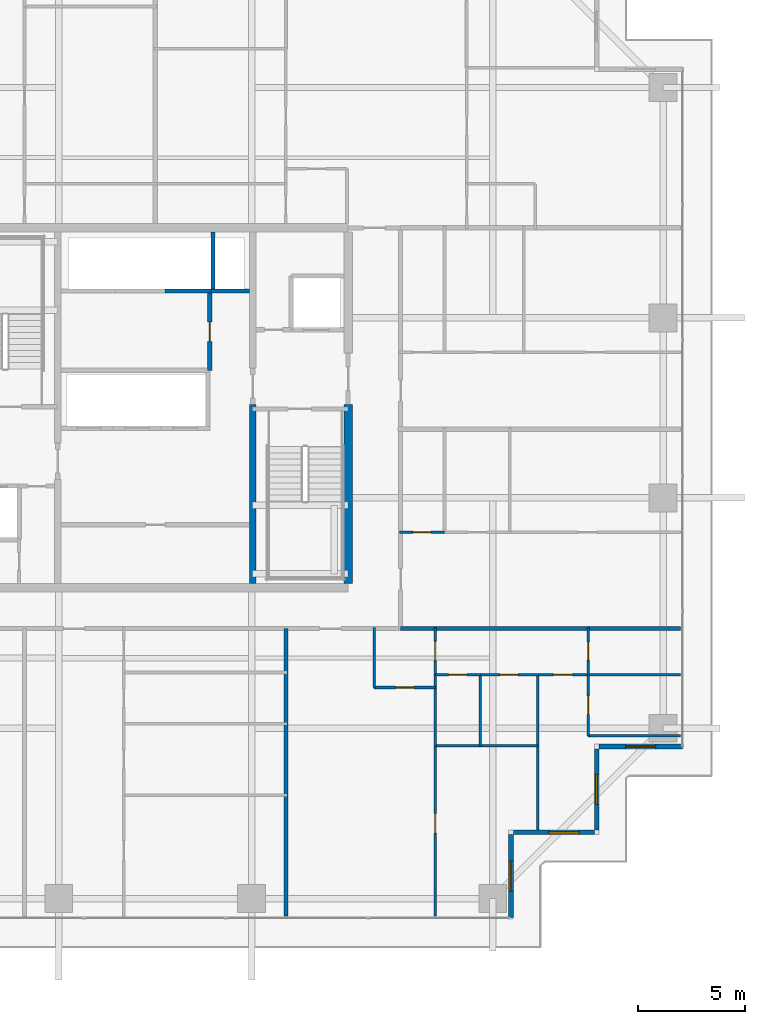
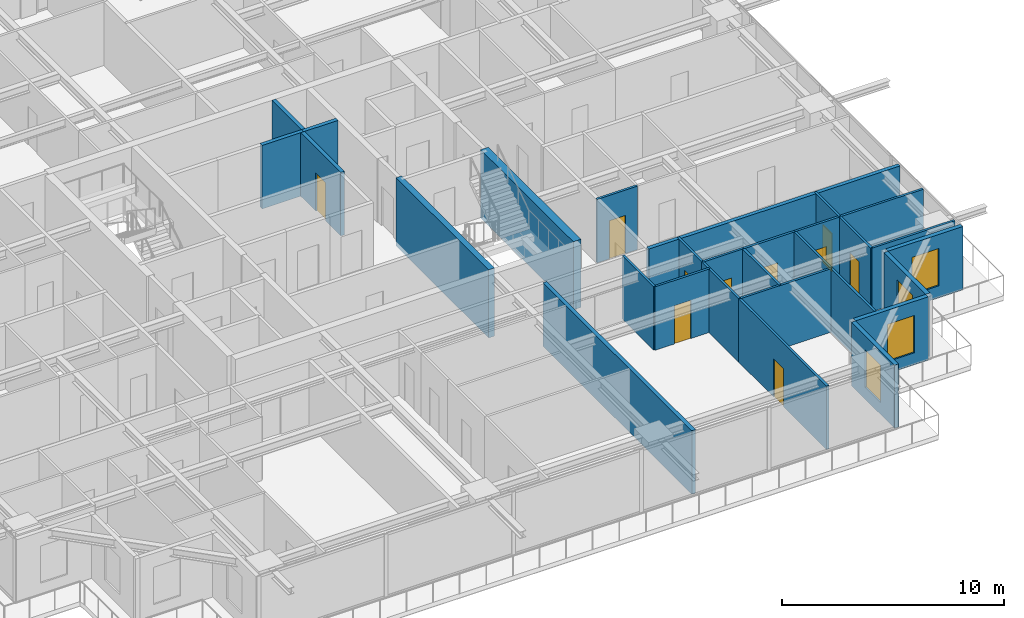
# One storey, part 28 of 37: 28 walls, 10 doors, 4 windows, 14 openings.
"""IFC4 building model written with IfcOpenShell, lengths in metres."""

from ifc_helpers import new_model, si_unit, direction, frame, frame_2d, origin, place, context, subcontext, project, spatial, rectangle, extrude, source, transform, mapped, material, layer, layer_set, type_object, element, fill, save


model = new_model("IFC4")

# Units and contexts
model_context = context("Model", 3, precision=1e-05, world=origin(), true_north=direction((0.0, 1.0)))
body_context = subcontext(model_context, "Body", "Model", "MODEL_VIEW")
ifc_project = project(units=[si_unit("LENGTHUNIT", "METRE"), si_unit("AREAUNIT", "SQUARE_METRE"), si_unit("VOLUMEUNIT", "CUBIC_METRE"), si_unit("PLANEANGLEUNIT", "RADIAN"), si_unit("MASSUNIT", "GRAM", prefix="KILO")], contexts=[model_context])

# Site, building, storey
site_placement = place(None, origin())
site = spatial("IfcSite", under=ifc_project, at=site_placement, CompositionType="ELEMENT")
building_placement = place(site_placement, origin())
building = spatial("IfcBuilding", under=site, at=building_placement, Name="Serunith Strait Residences", CompositionType="ELEMENT")
storey_placement = place(building_placement, frame((0.0, 0.0, 127.64990234375)))
storey = spatial("IfcBuildingStorey", under=building, at=storey_placement, Name="L31", CompositionType="ELEMENT", Elevation=127.64990234375)

# Wall, opening, window
ifc_material_1 = material(Name="Pale-Champagne Aluminium Insulated Panel", Category="aluminium")
ifc_layer_1 = layer(ifc_material_1, 0.219970703125, Name="Pale-Champagne Aluminium Insulated Panel")
ifc_layer_set_1 = layer_set([ifc_layer_1], Name="Pale-Champagne Aluminium Insulated Panel")
wall_type_1 = type_object("IfcWallType", Name="EW-ALUM-220", PredefinedType="ELEMENTEDWALL", material=ifc_layer_set_1)
wall_1_placement = place(storey_placement, frame((49.0, 1.39990234375, 0.0), z_axis=(0.0, 0.0, 1.0), x_axis=(0.0, 1.0, 0.0)))
wall_1 = element("IfcWall", 1, at=wall_1_placement, inside=storey, type_object=wall_type_1, Name="L31 Girih Serrated Corner Wall 02", PredefinedType="ELEMENTEDWALL", context=body_context, shape_type="SweptSolid", body=[
    extrude(rectangle(XDim=3.89013671875, YDim=0.219970703125, at=frame_2d((1.945068359375, 0.0))), origin(), (0.0, 0.0, 1.0), 3.47509765625),
])
opening_1_placement = place(wall_1_placement, frame((1.2451171875, 0.0, 0.64990234375)))
opening_1 = element("IfcOpeningElement", 2, at=opening_1_placement, cuts=wall_1, Name="Opening W-03", PredefinedType="OPENING", context=body_context, shape_type="SweptSolid", body=[
    extrude(rectangle(XDim=1.39990234375, YDim=2.050048828125, at=frame_2d((0.699951171875, 1.02490234375))), frame((0.0, 0.1201171875, 0.0), z_axis=(0.0, -1.0, 0.0), x_axis=(1.0, 0.0, 0.0)), (0.0, 0.0, 1.0), 0.239990234375),
])
ifc_material_2 = material(Name="Ceramic-Fritted Operable Aluminium Window Glass", Category="aluminium")
window_type = type_object("IfcWindowType", Name="WIN-C3", PartitioningType="SINGLE_PANEL", PredefinedType="WINDOW", material=ifc_material_2)
shared_shape_1 = source(origin(), body_context, "Body", "SweptSolid", [
    extrude(rectangle(XDim=1.39990234375, YDim=2.050048828125, at=frame_2d((0.699951171875, 1.02490234375))), frame((0.0, 0.030029296875, 0.0), z_axis=(0.0, -1.0, 0.0), x_axis=(1.0, 0.0, 0.0)), (0.0, 0.0, 1.0), 0.06005859375),
])
window_1_placement = place(opening_1_placement, origin())
window_1 = element("IfcWindow", 3, at=window_1_placement, inside=storey, type_object=window_type, Name="L31 Corner Operable Fritted Window 02", OverallHeight=2.050048828125, OverallWidth=1.39990234375, PartitioningType="SINGLE_PANEL", PredefinedType="WINDOW", context=body_context, shape_type="MappedRepresentation", body=[
    mapped(shared_shape_1, transform((0.0, 0.0, 0.0), scale=1.0)),
])
fill(opening_1, window_1)

wall_2_placement = place(storey_placement, frame((49.110107421875, 5.39990234375, 0.0), z_axis=(0.0, 0.0, 1.0), x_axis=(1.0, 0.0, 0.0)))
wall_2 = element("IfcWall", 4, at=wall_2_placement, inside=storey, type_object=wall_type_1, Name="L31 Girih Serrated Corner Wall 03", PredefinedType="ELEMENTEDWALL", context=body_context, shape_type="SweptSolid", body=[
    extrude(rectangle(XDim=3.77978515625, YDim=0.219970703125, at=frame_2d((1.889892578125, 0.0))), origin(), (0.0, 0.0, 1.0), 3.47509765625),
])
opening_2_placement = place(wall_2_placement, frame((1.666015625, 0.0, 0.64990234375)))
opening_2 = element("IfcOpeningElement", 5, at=opening_2_placement, cuts=wall_2, Name="Opening W-03", PredefinedType="OPENING", context=body_context, shape_type="SweptSolid", body=[
    extrude(rectangle(XDim=1.39990234375, YDim=2.050048828125, at=frame_2d((0.699951171875, 1.02490234375))), frame((0.0, 0.1201171875, 0.0), z_axis=(0.0, -1.0, 0.0), x_axis=(1.0, 0.0, 0.0)), (0.0, 0.0, 1.0), 0.239990234375),
])
window_2_placement = place(opening_2_placement, origin())
window_2 = element("IfcWindow", 6, at=window_2_placement, inside=storey, type_object=window_type, Name="L31 Corner Operable Fritted Window 03", OverallHeight=2.050048828125, OverallWidth=1.39990234375, PartitioningType="SINGLE_PANEL", PredefinedType="WINDOW", context=body_context, shape_type="MappedRepresentation", body=[
    mapped(shared_shape_1, transform((0.0, 0.0, 0.0), scale=1.0)),
])
fill(opening_2, window_2)

wall_3_placement = place(storey_placement, frame((53.0, 5.510009765625, 0.0), z_axis=(0.0, 0.0, 1.0), x_axis=(0.0, 1.0, 0.0)))
wall_3 = element("IfcWall", 7, at=wall_3_placement, inside=storey, type_object=wall_type_1, Name="L31 Girih Serrated Corner Wall 04", PredefinedType="ELEMENTEDWALL", context=body_context, shape_type="SweptSolid", body=[
    extrude(rectangle(XDim=3.780029296875, YDim=0.219970703125, at=frame_2d((1.89013671875, 0.0))), origin(), (0.0, 0.0, 1.0), 3.47509765625),
])
opening_3_placement = place(wall_3_placement, frame((1.18994140625, 0.0, 0.64990234375)))
opening_3 = element("IfcOpeningElement", 8, at=opening_3_placement, cuts=wall_3, Name="Opening W-03", PredefinedType="OPENING", context=body_context, shape_type="SweptSolid", body=[
    extrude(rectangle(XDim=1.39990234375, YDim=2.050048828125, at=frame_2d((0.699951171875, 1.02490234375))), frame((0.0, 0.1201171875, 0.0), z_axis=(0.0, -1.0, 0.0), x_axis=(1.0, 0.0, 0.0)), (0.0, 0.0, 1.0), 0.239990234375),
])
window_3_placement = place(opening_3_placement, origin())
window_3 = element("IfcWindow", 9, at=window_3_placement, inside=storey, type_object=window_type, Name="L31 Corner Operable Fritted Window 04", OverallHeight=2.050048828125, OverallWidth=1.39990234375, PartitioningType="SINGLE_PANEL", PredefinedType="WINDOW", context=body_context, shape_type="MappedRepresentation", body=[
    mapped(shared_shape_1, transform((0.0, 0.0, 0.0), scale=1.0)),
])
fill(opening_3, window_3)

wall_4_placement = place(storey_placement, frame((53.110107421875, 9.39990234375, 0.0), z_axis=(0.0, 0.0, 1.0), x_axis=(1.0, 0.0, 0.0)))
wall_4 = element("IfcWall", 10, at=wall_4_placement, inside=storey, type_object=wall_type_1, Name="L31 Girih Serrated Corner Wall 05", PredefinedType="ELEMENTEDWALL", context=body_context, shape_type="SweptSolid", body=[
    extrude(rectangle(XDim=3.889892578125, YDim=0.219970703125, at=frame_2d((1.94482421875, 0.0))), origin(), (0.0, 0.0, 1.0), 3.47509765625),
])
opening_4_placement = place(wall_4_placement, frame((1.2451171875, 0.0, 0.64990234375)))
opening_4 = element("IfcOpeningElement", 11, at=opening_4_placement, cuts=wall_4, Name="Opening W-03", PredefinedType="OPENING", context=body_context, shape_type="SweptSolid", body=[
    extrude(rectangle(XDim=1.39990234375, YDim=2.050048828125, at=frame_2d((0.699951171875, 1.02490234375))), frame((0.0, 0.1201171875, 0.0), z_axis=(0.0, -1.0, 0.0), x_axis=(1.0, 0.0, 0.0)), (0.0, 0.0, 1.0), 0.239990234375),
])
window_4_placement = place(opening_4_placement, origin())
window_4 = element("IfcWindow", 12, at=window_4_placement, inside=storey, type_object=window_type, Name="L31 Corner Operable Fritted Window 05", OverallHeight=2.050048828125, OverallWidth=1.39990234375, PartitioningType="SINGLE_PANEL", PredefinedType="WINDOW", context=body_context, shape_type="MappedRepresentation", body=[
    mapped(shared_shape_1, transform((0.0, 0.0, 0.0), scale=1.0)),
])
fill(opening_4, window_4)

# Wall, opening, door
ifc_material_3 = material(Name="Lightweight steel-stud gypsum partition", Category="steel")
ifc_layer_2 = layer(ifc_material_3, 0.1201171875, Name="Lightweight steel-stud gypsum partition")
ifc_layer_set_2 = layer_set([ifc_layer_2], Name="Lightweight steel-stud gypsum partition")
wall_type_2 = type_object("IfcWallType", Name="IW-PART-120", PredefinedType="PARTITIONING", material=ifc_layer_set_2)
wall_5_placement = place(storey_placement, frame((42.6201171875, 12.14990234375, 0.0), z_axis=(0.0, 0.0, 1.0), x_axis=(1.0, 0.0, 0.0)))
wall_5 = element("IfcWall", 13, at=wall_5_placement, inside=storey, type_object=wall_type_2, Name="L31 Partition Wall 051", PredefinedType="PARTITIONING", context=body_context, shape_type="SweptSolid", body=[
    extrude(rectangle(XDim=2.849853515625, YDim=0.1201171875, at=frame_2d((1.4248046875, 0.0))), origin(), (0.0, 0.0, 1.0), 3.489990234375),
])
opening_5_placement = place(wall_5_placement, frame((1.0, 0.0, 0.0)))
opening_5 = element("IfcOpeningElement", 14, at=opening_5_placement, cuts=wall_5, Name="Opening D-RM850", PredefinedType="OPENING", context=body_context, shape_type="SweptSolid", body=[
    extrude(rectangle(XDim=0.85009765625, YDim=2.10009765625, at=frame_2d((0.425048828125, 1.050048828125))), frame((0.0, 0.070068359375, 0.0), z_axis=(0.0, -1.0, 0.0), x_axis=(1.0, 0.0, 0.0)), (0.0, 0.0, 1.0), 0.14013671875),
])
ifc_material_4 = material(Name="Engineered timber flush study and kitchen door", Category="wood")
door_type_1 = type_object("IfcDoorType", Name="ID-ROOM-850", OperationType="NOTDEFINED", PredefinedType="DOOR", material=ifc_material_4)
shared_shape_2 = source(origin(), body_context, "Body", "SweptSolid", [
    extrude(rectangle(XDim=0.85009765625, YDim=2.10009765625, at=frame_2d((0.425048828125, 1.050048828125))), frame((0.0, 0.02490234375, 0.0), z_axis=(0.0, -1.0, 0.0), x_axis=(1.0, 0.0, 0.0)), (0.0, 0.0, 1.0), 0.050048828125),
])
door_1_placement = place(opening_5_placement, origin())
door_1 = element("IfcDoor", 15, at=door_1_placement, inside=storey, type_object=door_type_1, Name="L31 Kitchen 3103 Door", OperationType="SINGLE_SWING_LEFT", OverallHeight=2.10009765625, OverallWidth=0.85009765625, PredefinedType="DOOR", context=body_context, shape_type="MappedRepresentation", body=[
    mapped(shared_shape_2, transform((0.0, 0.0, 0.0), scale=1.0)),
])
fill(opening_5, door_1)

# Wall
wall_6_placement = place(storey_placement, frame((42.6201171875, 12.14990234375, 0.0), z_axis=(0.0, 0.0, 1.0), x_axis=(0.0, 1.0, 0.0)))
element("IfcWall", 16, at=wall_6_placement, inside=storey, type_object=wall_type_2, Name="L31 Partition Wall 052", PredefinedType="PARTITIONING", context=body_context, shape_type="SweptSolid", body=[
    extrude(rectangle(XDim=2.81005859375, YDim=0.1201171875, at=frame_2d((1.405029296875, 0.0))), origin(), (0.0, 0.0, 1.0), 3.489990234375),
])

# Wall, opening, door
wall_7_placement = place(storey_placement, frame((45.469970703125, 12.75, 0.0), z_axis=(0.0, 0.0, 1.0), x_axis=(0.0, 1.0, 0.0)))
wall_7 = element("IfcWall", 17, at=wall_7_placement, inside=storey, type_object=wall_type_2, Name="L31 Partition Wall 053", PredefinedType="PARTITIONING", context=body_context, shape_type="SweptSolid", body=[
    extrude(rectangle(XDim=2.2099609375, YDim=0.1201171875, at=frame_2d((1.10498046875, 0.0))), origin(), (0.0, 0.0, 1.0), 3.489990234375),
])
opening_6_placement = place(wall_7_placement, frame((0.655029296875, 0.0, 0.0)))
opening_6 = element("IfcOpeningElement", 18, at=opening_6_placement, cuts=wall_7, Name="Opening D-RM900", PredefinedType="OPENING", context=body_context, shape_type="SweptSolid", body=[
    extrude(rectangle(XDim=0.89990234375, YDim=2.10009765625, at=frame_2d((0.449951171875, 1.050048828125))), frame((0.0, 0.070068359375, 0.0), z_axis=(0.0, -1.0, 0.0), x_axis=(1.0, 0.0, 0.0)), (0.0, 0.0, 1.0), 0.14013671875),
])
ifc_material_5 = material(Name="Engineered timber flush bedroom door", Category="wood")
door_type_2 = type_object("IfcDoorType", Name="ID-ROOM-900", OperationType="NOTDEFINED", PredefinedType="DOOR", material=ifc_material_5)
shared_shape_3 = source(origin(), body_context, "Body", "SweptSolid", [
    extrude(rectangle(XDim=0.89990234375, YDim=2.10009765625, at=frame_2d((0.449951171875, 1.050048828125))), frame((0.0, 0.02490234375, 0.0), z_axis=(0.0, -1.0, 0.0), x_axis=(1.0, 0.0, 0.0)), (0.0, 0.0, 1.0), 0.050048828125),
])
door_2_placement = place(opening_6_placement, origin())
door_2 = element("IfcDoor", 19, at=door_2_placement, inside=storey, type_object=door_type_2, Name="L31 Hall E 3103 Door", OperationType="SINGLE_SWING_RIGHT", OverallHeight=2.10009765625, OverallWidth=0.89990234375, PredefinedType="DOOR", context=body_context, shape_type="MappedRepresentation", body=[
    mapped(shared_shape_3, transform((0.0, 0.0, 0.0), scale=1.0)),
])
fill(opening_6, door_2)

wall_8_placement = place(storey_placement, frame((45.469970703125, 1.4951171875, 0.0), z_axis=(0.0, 0.0, 1.0), x_axis=(0.0, 1.0, 0.0)))
wall_8 = element("IfcWall", 20, at=wall_8_placement, inside=storey, type_object=wall_type_2, Name="L31 Partition Wall 054", PredefinedType="PARTITIONING", context=body_context, shape_type="SweptSolid", body=[
    extrude(rectangle(XDim=7.928955078125, YDim=0.1201171875, at=frame_2d((3.96435546875, 0.0))), origin(), (0.0, 0.0, 1.0), 3.489990234375),
])
opening_7_placement = place(wall_8_placement, frame((3.865966796875, 0.0, 0.0)))
opening_7 = element("IfcOpeningElement", 21, at=opening_7_placement, cuts=wall_8, Name="Opening D-RM900", PredefinedType="OPENING", context=body_context, shape_type="SweptSolid", body=[
    extrude(rectangle(XDim=0.89990234375, YDim=2.10009765625, at=frame_2d((0.449951171875, 1.050048828125))), frame((0.0, 0.070068359375, 0.0), z_axis=(0.0, -1.0, 0.0), x_axis=(1.0, 0.0, 0.0)), (0.0, 0.0, 1.0), 0.14013671875),
])
door_3_placement = place(opening_7_placement, origin())
door_3 = element("IfcDoor", 22, at=door_3_placement, inside=storey, type_object=door_type_2, Name="L31 Formal Dining Room 1 3103 Door", OperationType="SINGLE_SWING_LEFT", OverallHeight=2.10009765625, OverallWidth=0.89990234375, PredefinedType="DOOR", context=body_context, shape_type="MappedRepresentation", body=[
    mapped(shared_shape_3, transform((0.0, 0.0, 0.0), scale=1.0)),
])
fill(opening_7, door_3)

# Walls
wall_9_placement = place(storey_placement, frame((45.469970703125, 9.426025390625, 0.0), z_axis=(0.0, 0.0, 1.0), x_axis=(0.0, 1.0, 0.0)))
element("IfcWall", 23, at=wall_9_placement, inside=storey, type_object=wall_type_2, Name="L31 Partition Wall 055", PredefinedType="PARTITIONING", context=body_context, shape_type="SweptSolid", body=[
    extrude(rectangle(XDim=3.322021484375, YDim=0.1201171875, at=frame_2d((1.6611328125, 0.0))), origin(), (0.0, 0.0, 1.0), 3.489990234375),
])
wall_10_placement = place(storey_placement, frame((45.469970703125, 9.424072265625, 0.0), z_axis=(0.0, 0.0, 1.0), x_axis=(1.0, 0.0, 0.0)))
element("IfcWall", 24, at=wall_10_placement, inside=storey, type_object=wall_type_2, Name="L31 Partition Wall 056", PredefinedType="PARTITIONING", context=body_context, shape_type="SweptSolid", body=[
    extrude(rectangle(XDim=4.780029296875, YDim=0.1201171875, at=frame_2d((2.39013671875, 0.0))), origin(), (0.0, 0.0, 1.0), 3.489990234375),
])
wall_11_placement = place(storey_placement, frame((50.25, 5.4951171875, 0.0), z_axis=(0.0, 0.0, 1.0), x_axis=(0.0, 1.0, 0.0)))
element("IfcWall", 25, at=wall_11_placement, inside=storey, type_object=wall_type_2, Name="L31 Partition Wall 057", PredefinedType="PARTITIONING", context=body_context, shape_type="SweptSolid", body=[
    extrude(rectangle(XDim=7.2548828125, YDim=0.1201171875, at=frame_2d((3.62744140625, 0.0))), origin(), (0.0, 0.0, 1.0), 3.489990234375),
])
wall_12_placement = place(storey_placement, frame((47.570068359375, 9.424072265625, 0.0), z_axis=(0.0, 0.0, 1.0), x_axis=(0.0, 1.0, 0.0)))
element("IfcWall", 26, at=wall_12_placement, inside=storey, type_object=wall_type_2, Name="L31 Partition Wall 058", PredefinedType="PARTITIONING", context=body_context, shape_type="SweptSolid", body=[
    extrude(rectangle(XDim=3.325927734375, YDim=0.1201171875, at=frame_2d((1.6630859375, 0.0))), origin(), (0.0, 0.0, 1.0), 3.489990234375),
])

# Wall, opening, door
wall_13_placement = place(storey_placement, frame((45.469970703125, 12.75, 0.0), z_axis=(0.0, 0.0, 1.0), x_axis=(1.0, 0.0, 0.0)))
wall_13 = element("IfcWall", 27, at=wall_13_placement, inside=storey, type_object=wall_type_2, Name="L31 Partition Wall 059", PredefinedType="PARTITIONING", context=body_context, shape_type="SweptSolid", body=[
    extrude(rectangle(XDim=2.10009765625, YDim=0.1201171875, at=frame_2d((1.050048828125, 0.0))), origin(), (0.0, 0.0, 1.0), 3.489990234375),
])
opening_8_placement = place(wall_13_placement, frame((0.625, 0.0, 0.0)))
opening_8 = element("IfcOpeningElement", 28, at=opening_8_placement, cuts=wall_13, Name="Opening D-BTH850", PredefinedType="OPENING", context=body_context, shape_type="SweptSolid", body=[
    extrude(rectangle(XDim=0.85009765625, YDim=2.10009765625, at=frame_2d((0.425048828125, 1.050048828125))), frame((0.0, 0.070068359375, 0.0), z_axis=(0.0, -1.0, 0.0), x_axis=(1.0, 0.0, 0.0)), (0.0, 0.0, 1.0), 0.14013671875),
])
ifc_material_6 = material(Name="Moisture-resistant timber bathroom door", Category="wood")
door_type_3 = type_object("IfcDoorType", Name="ID-BATH-850", OperationType="NOTDEFINED", PredefinedType="DOOR", material=ifc_material_6)
door_4_placement = place(opening_8_placement, origin())
door_4 = element("IfcDoor", 29, at=door_4_placement, inside=storey, type_object=door_type_3, Name="L31 Bathroom 3103 Door", OperationType="SINGLE_SWING_RIGHT", OverallHeight=2.10009765625, OverallWidth=0.85009765625, PredefinedType="DOOR", context=body_context, shape_type="MappedRepresentation", body=[
    mapped(shared_shape_2, transform((0.0, 0.0, 0.0), scale=1.0)),
])
fill(opening_8, door_4)

wall_14_placement = place(storey_placement, frame((47.572021484375, 12.75, 0.0), z_axis=(0.0, 0.0, 1.0), x_axis=(1.0, 0.0, 0.0)))
wall_14 = element("IfcWall", 30, at=wall_14_placement, inside=storey, type_object=wall_type_2, Name="L31 Partition Wall 060", PredefinedType="PARTITIONING", context=body_context, shape_type="SweptSolid", body=[
    extrude(rectangle(XDim=2.677978515625, YDim=0.1201171875, at=frame_2d((1.3388671875, 0.0))), origin(), (0.0, 0.0, 1.0), 3.489990234375),
])
opening_9_placement = place(wall_14_placement, frame((0.9140625, 0.0, 0.0)))
opening_9 = element("IfcOpeningElement", 31, at=opening_9_placement, cuts=wall_14, Name="Opening D-RM850", PredefinedType="OPENING", context=body_context, shape_type="SweptSolid", body=[
    extrude(rectangle(XDim=0.85009765625, YDim=2.10009765625, at=frame_2d((0.425048828125, 1.050048828125))), frame((0.0, 0.070068359375, 0.0), z_axis=(0.0, -1.0, 0.0), x_axis=(1.0, 0.0, 0.0)), (0.0, 0.0, 1.0), 0.14013671875),
])
door_5_placement = place(opening_9_placement, origin())
door_5 = element("IfcDoor", 32, at=door_5_placement, inside=storey, type_object=door_type_1, Name="L31 Laundry Room 3103 Door", OperationType="SINGLE_SWING_LEFT", OverallHeight=2.10009765625, OverallWidth=0.85009765625, PredefinedType="DOOR", context=body_context, shape_type="MappedRepresentation", body=[
    mapped(shared_shape_2, transform((0.0, 0.0, 0.0), scale=1.0)),
])
fill(opening_9, door_5)

wall_15_placement = place(storey_placement, frame((50.251953125, 12.75, 0.0), z_axis=(0.0, 0.0, 1.0), x_axis=(1.0, 0.0, 0.0)))
wall_15 = element("IfcWall", 33, at=wall_15_placement, inside=storey, type_object=wall_type_2, Name="L31 Partition Wall 061", PredefinedType="PARTITIONING", context=body_context, shape_type="SweptSolid", body=[
    extrude(rectangle(XDim=2.34814453125, YDim=0.1201171875, at=frame_2d((1.174072265625, 0.0))), origin(), (0.0, 0.0, 1.0), 3.489990234375),
])
opening_10_placement = place(wall_15_placement, frame((0.72412109375, 0.0, 0.0)))
opening_10 = element("IfcOpeningElement", 34, at=opening_10_placement, cuts=wall_15, Name="Opening D-RM900", PredefinedType="OPENING", context=body_context, shape_type="SweptSolid", body=[
    extrude(rectangle(XDim=0.89990234375, YDim=2.10009765625, at=frame_2d((0.449951171875, 1.050048828125))), frame((0.0, 0.070068359375, 0.0), z_axis=(0.0, -1.0, 0.0), x_axis=(1.0, 0.0, 0.0)), (0.0, 0.0, 1.0), 0.14013671875),
])
door_6_placement = place(opening_10_placement, origin())
door_6 = element("IfcDoor", 35, at=door_6_placement, inside=storey, type_object=door_type_2, Name="L31 Master Bedroom E 3103 Door", OperationType="SINGLE_SWING_RIGHT", OverallHeight=2.10009765625, OverallWidth=0.89990234375, PredefinedType="DOOR", context=body_context, shape_type="MappedRepresentation", body=[
    mapped(shared_shape_3, transform((0.0, 0.0, 0.0), scale=1.0)),
])
fill(opening_10, door_6)

# Walls
wall_16_placement = place(storey_placement, frame((52.60009765625, 9.89501953125, 0.0), z_axis=(0.0, 0.0, 1.0), x_axis=(1.0, 0.0, 0.0)))
element("IfcWall", 36, at=wall_16_placement, inside=storey, type_object=wall_type_2, Name="L31 Partition Wall 062", PredefinedType="PARTITIONING", context=body_context, shape_type="SweptSolid", body=[
    extrude(rectangle(XDim=4.304931640625, YDim=0.1201171875, at=frame_2d((2.15234375, 0.0))), origin(), (0.0, 0.0, 1.0), 3.489990234375),
])
wall_17_placement = place(storey_placement, frame((52.60205078125, 12.75, 0.0), z_axis=(0.0, 0.0, 1.0), x_axis=(1.0, 0.0, 0.0)))
element("IfcWall", 37, at=wall_17_placement, inside=storey, type_object=wall_type_2, Name="L31 Partition Wall 063", PredefinedType="PARTITIONING", context=body_context, shape_type="SweptSolid", body=[
    extrude(rectangle(XDim=4.302978515625, YDim=0.1201171875, at=frame_2d((2.1513671875, 0.0))), origin(), (0.0, 0.0, 1.0), 3.489990234375),
])

# Wall, opening, door
wall_18_placement = place(storey_placement, frame((52.60009765625, 9.89501953125, 0.0), z_axis=(0.0, 0.0, 1.0), x_axis=(0.0, 1.0, 0.0)))
wall_18 = element("IfcWall", 38, at=wall_18_placement, inside=storey, type_object=wall_type_2, Name="L31 Partition Wall 064", PredefinedType="PARTITIONING", context=body_context, shape_type="SweptSolid", body=[
    extrude(rectangle(XDim=2.85498046875, YDim=0.1201171875, at=frame_2d((1.427490234375, 0.0))), origin(), (0.0, 0.0, 1.0), 3.489990234375),
])
opening_11_placement = place(wall_18_placement, frame((1.0029296875, 0.0, 0.0)))
opening_11 = element("IfcOpeningElement", 39, at=opening_11_placement, cuts=wall_18, Name="Opening D-BTH850", PredefinedType="OPENING", context=body_context, shape_type="SweptSolid", body=[
    extrude(rectangle(XDim=0.85009765625, YDim=2.10009765625, at=frame_2d((0.425048828125, 1.050048828125))), frame((0.0, 0.070068359375, 0.0), z_axis=(0.0, -1.0, 0.0), x_axis=(1.0, 0.0, 0.0)), (0.0, 0.0, 1.0), 0.14013671875),
])
door_7_placement = place(opening_11_placement, origin())
door_7 = element("IfcDoor", 40, at=door_7_placement, inside=storey, type_object=door_type_3, Name="L31 En-suite Bathroom E 3103 Door", OperationType="SINGLE_SWING_LEFT", OverallHeight=2.10009765625, OverallWidth=0.85009765625, PredefinedType="DOOR", context=body_context, shape_type="MappedRepresentation", body=[
    mapped(shared_shape_2, transform((0.0, 0.0, 0.0), scale=1.0)),
])
fill(opening_11, door_7)

wall_19_placement = place(storey_placement, frame((52.60009765625, 12.751953125, 0.0), z_axis=(0.0, 0.0, 1.0), x_axis=(0.0, 1.0, 0.0)))
wall_19 = element("IfcWall", 41, at=wall_19_placement, inside=storey, type_object=wall_type_2, Name="L31 Partition Wall 065", PredefinedType="PARTITIONING", context=body_context, shape_type="SweptSolid", body=[
    extrude(rectangle(XDim=2.2080078125, YDim=0.1201171875, at=frame_2d((1.10400390625, 0.0))), origin(), (0.0, 0.0, 1.0), 3.489990234375),
])
opening_12_placement = place(wall_19_placement, frame((0.678955078125, 0.0, 0.0)))
opening_12 = element("IfcOpeningElement", 42, at=opening_12_placement, cuts=wall_19, Name="Opening D-RM850", PredefinedType="OPENING", context=body_context, shape_type="SweptSolid", body=[
    extrude(rectangle(XDim=0.85009765625, YDim=2.10009765625, at=frame_2d((0.425048828125, 1.050048828125))), frame((0.0, 0.070068359375, 0.0), z_axis=(0.0, -1.0, 0.0), x_axis=(1.0, 0.0, 0.0)), (0.0, 0.0, 1.0), 0.14013671875),
])
door_8_placement = place(opening_12_placement, origin())
door_8 = element("IfcDoor", 43, at=door_8_placement, inside=storey, type_object=door_type_1, Name="L31 Wardrobe E 3103 Door", OperationType="SINGLE_SWING_RIGHT", OverallHeight=2.10009765625, OverallWidth=0.85009765625, PredefinedType="DOOR", context=body_context, shape_type="MappedRepresentation", body=[
    mapped(shared_shape_2, transform((0.0, 0.0, 0.0), scale=1.0)),
])
fill(opening_12, door_8)

wall_20_placement = place(storey_placement, frame((45.89794921875, 19.39990234375, 0.0), z_axis=(0.0, 0.0, 1.0), x_axis=(-1.0, 0.0, 0.0)))
wall_20 = element("IfcWall", 44, at=wall_20_placement, inside=storey, type_object=wall_type_2, Name="L31 Partition Wall 106", PredefinedType="PARTITIONING", context=body_context, shape_type="SweptSolid", body=[
    extrude(rectangle(XDim=2.10791015625, YDim=0.1201171875, at=frame_2d((1.053955078125, 0.0))), origin(), (0.0, 0.0, 1.0), 3.489990234375),
])
opening_13_placement = place(wall_20_placement, frame((0.62890625, 0.0, 0.0)))
opening_13 = element("IfcOpeningElement", 45, at=opening_13_placement, cuts=wall_20, Name="Opening D-BTH850", PredefinedType="OPENING", context=body_context, shape_type="SweptSolid", body=[
    extrude(rectangle(XDim=0.85009765625, YDim=2.10009765625, at=frame_2d((0.425048828125, 1.050048828125))), frame((0.0, 0.070068359375, 0.0), z_axis=(0.0, -1.0, 0.0), x_axis=(1.0, 0.0, 0.0)), (0.0, 0.0, 1.0), 0.14013671875),
])
door_9_placement = place(opening_13_placement, origin())
door_9 = element("IfcDoor", 46, at=door_9_placement, inside=storey, type_object=door_type_3, Name="L31 Bathroom 3108 Door", OperationType="SINGLE_SWING_LEFT", OverallHeight=2.10009765625, OverallWidth=0.85009765625, PredefinedType="DOOR", context=body_context, shape_type="MappedRepresentation", body=[
    mapped(shared_shape_2, transform((0.0, 0.0, 0.0), scale=1.0)),
])
fill(opening_13, door_9)

# Walls
ifc_material_7 = material(Name="Twin-stud acoustic gypsum board partition")
ifc_layer_3 = layer(ifc_material_7, 0.199951171875, Name="Twin-stud acoustic gypsum board partition")
ifc_layer_set_3 = layer_set([ifc_layer_3], Name="Twin-stud acoustic gypsum board partition")
wall_type_3 = type_object("IfcWallType", Name="IW-PARTY-200", PredefinedType="PARTITIONING", material=ifc_layer_set_3)
wall_21_placement = place(storey_placement, frame((38.5, 1.48193359375, 0.0), z_axis=(0.0, 0.0, 1.0), x_axis=(0.0, 1.0, 0.0)))
element("IfcWall", 47, at=wall_21_placement, inside=storey, type_object=wall_type_3, Name="L31 Partition Wall 016", PredefinedType="PARTITIONING", context=body_context, shape_type="SweptSolid", body=[
    extrude(rectangle(XDim=13.41796875, YDim=0.199951171875, at=frame_2d((6.708984375, 0.0))), origin(), (0.0, 0.0, 1.0), 3.489990234375),
])
wall_22_placement = place(storey_placement, frame((43.85009765625, 14.89990234375, 0.0), z_axis=(0.0, 0.0, 1.0), x_axis=(1.0, 0.0, 0.0)))
element("IfcWall", 48, at=wall_22_placement, inside=storey, type_object=wall_type_3, Name="L31 Partition Wall 021", PredefinedType="PARTITIONING", context=body_context, shape_type="SweptSolid", body=[
    extrude(rectangle(XDim=13.06787109375, YDim=0.199951171875, at=frame_2d((6.533935546875, 0.0))), origin(), (0.0, 0.0, 1.0), 3.489990234375),
])
ifc_material_8 = material(Name="Autoclaved aerated concrete blockwork", Category="masonry")
ifc_layer_4 = layer(ifc_material_8, 0.199951171875, Name="Autoclaved aerated concrete blockwork")
ifc_layer_set_4 = layer_set([ifc_layer_4], Name="Autoclaved aerated concrete blockwork")
wall_type_4 = type_object("IfcWallType", Name="IW-SHAFT-200", PredefinedType="STANDARD", material=ifc_layer_set_4)
wall_23_placement = place(storey_placement, frame((32.85009765625, 30.64990234375, 0.0), z_axis=(0.0, 0.0, 1.0), x_axis=(1.0, 0.0, 0.0)))
element("IfcWall", 49, at=wall_23_placement, inside=storey, type_object=wall_type_4, Name="L31 PL-9 South Shaft Wall", PredefinedType="STANDARD", context=body_context, shape_type="SweptSolid", body=[
    extrude(rectangle(XDim=2.14990234375, YDim=0.199951171875, at=frame_2d((1.074951171875, 0.0))), origin(), (0.0, 0.0, 1.0), 3.489990234375),
])
wall_24_placement = place(storey_placement, frame((35.0, 30.64990234375, 0.0), z_axis=(0.0, 0.0, 1.0), x_axis=(1.0, 0.0, 0.0)))
element("IfcWall", 50, at=wall_24_placement, inside=storey, type_object=wall_type_4, Name="L31 SL-1 South Shaft Wall", PredefinedType="STANDARD", context=body_context, shape_type="SweptSolid", body=[
    extrude(rectangle(XDim=1.800048828125, YDim=0.199951171875, at=frame_2d((0.89990234375, 0.0))), origin(), (0.0, 0.0, 1.0), 3.489990234375),
])
wall_25_placement = place(storey_placement, frame((35.10009765625, 30.75, 0.0), z_axis=(0.0, 0.0, 1.0), x_axis=(0.0, 1.0, 0.0)))
element("IfcWall", 51, at=wall_25_placement, inside=storey, type_object=wall_type_4, Name="L31 SL-1 West Shaft Wall", PredefinedType="STANDARD", context=body_context, shape_type="SweptSolid", body=[
    extrude(rectangle(XDim=2.64990234375, YDim=0.199951171875, at=frame_2d((1.324951171875, 0.0))), origin(), (0.0, 0.0, 1.0), 3.489990234375),
])

# Wall, opening, door
wall_26_placement = place(storey_placement, frame((34.949951171875, 26.949951171875, 0.0), z_axis=(0.0, 0.0, 1.0), x_axis=(0.0, 1.0, 0.0)))
wall_26 = element("IfcWall", 52, at=wall_26_placement, inside=storey, type_object=wall_type_4, Name="L31 Partition Wall 013", PredefinedType="STANDARD", context=body_context, shape_type="SweptSolid", body=[
    extrude(rectangle(XDim=3.60009765625, YDim=0.199951171875, at=frame_2d((1.800048828125, 0.0))), origin(), (0.0, 0.0, 1.0), 3.489990234375),
])
opening_14_placement = place(wall_26_placement, frame((1.35009765625, 0.0, 0.0)))
opening_14 = element("IfcOpeningElement", 53, at=opening_14_placement, cuts=wall_26, Name="Opening FD-900", PredefinedType="OPENING", context=body_context, shape_type="SweptSolid", body=[
    extrude(rectangle(XDim=0.89990234375, YDim=2.10009765625, at=frame_2d((0.449951171875, 1.050048828125))), frame((0.0, 0.10986328125, 0.0), z_axis=(0.0, -1.0, 0.0), x_axis=(1.0, 0.0, 0.0)), (0.0, 0.0, 1.0), 0.219970703125),
])
ifc_material_9 = material(Name="Powder-coated steel riser door", Category="steel")
door_type_4 = type_object("IfcDoorType", Name="FD-BOH-900", OperationType="NOTDEFINED", PredefinedType="DOOR", material=ifc_material_9)
door_10_placement = place(opening_14_placement, origin())
door_10 = element("IfcDoor", 54, at=door_10_placement, inside=storey, type_object=door_type_4, Name="L31 Core Switchroom Door", OperationType="SINGLE_SWING_RIGHT", OverallHeight=2.10009765625, OverallWidth=0.89990234375, PredefinedType="DOOR", context=body_context, shape_type="MappedRepresentation", body=[
    mapped(shared_shape_3, transform((0.0, 0.0, 0.0), scale=1.0)),
])
fill(opening_14, door_10)

# Walls
ifc_material_10 = material(Name="Concrete C70/85", Category="concrete")
ifc_layer_5 = layer(ifc_material_10, 0.300048828125, Name="Concrete C70/85")
ifc_layer_set_5 = layer_set([ifc_layer_5], Name="Concrete C70/85")
wall_type_5 = type_object("IfcWallType", Name="SW-300-C70", PredefinedType="SHEAR", material=ifc_layer_set_5)
wall_27_placement = place(storey_placement, frame((36.949951171875, 17.0, -0.260009765625), z_axis=(0.0, 0.0, 1.0), x_axis=(0.0, 1.0, 0.0)))
element("IfcWall", 55, at=wall_27_placement, inside=storey, type_object=wall_type_5, Name="L31 Core Internal East Web South Pier", PredefinedType="SHEAR", context=body_context, shape_type="SweptSolid", body=[
    extrude(rectangle(XDim=8.35009765625, YDim=0.300048828125, at=frame_2d((4.175048828125, 0.0))), origin(), (0.0, 0.0, 1.0), 3.748046875),
])
ifc_layer_6 = layer(ifc_material_10, 0.39990234375, Name="Concrete C70/85")
ifc_layer_set_6 = layer_set([ifc_layer_6], Name="Concrete C70/85")
wall_type_6 = type_object("IfcWallType", Name="SW-400-C70", PredefinedType="SHEAR", material=ifc_layer_set_6)
wall_28_placement = place(storey_placement, frame((41.39990234375, 17.0, -0.260009765625), z_axis=(0.0, 0.0, 1.0), x_axis=(0.0, 1.0, 0.0)))
element("IfcWall", 56, at=wall_28_placement, inside=storey, type_object=wall_type_6, Name="L31 Core East Shear Wall South Pier", PredefinedType="SHEAR", context=body_context, shape_type="SweptSolid", body=[
    extrude(rectangle(XDim=8.35009765625, YDim=0.39990234375, at=frame_2d((4.175048828125, 0.0))), origin(), (0.0, 0.0, 1.0), 3.748046875),
])

save(model, "model.ifc")
